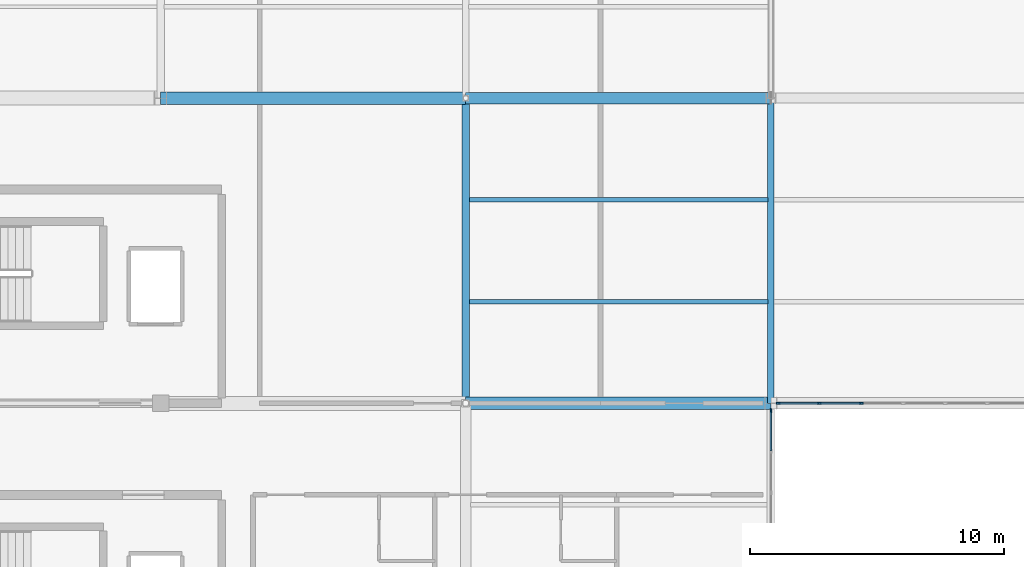
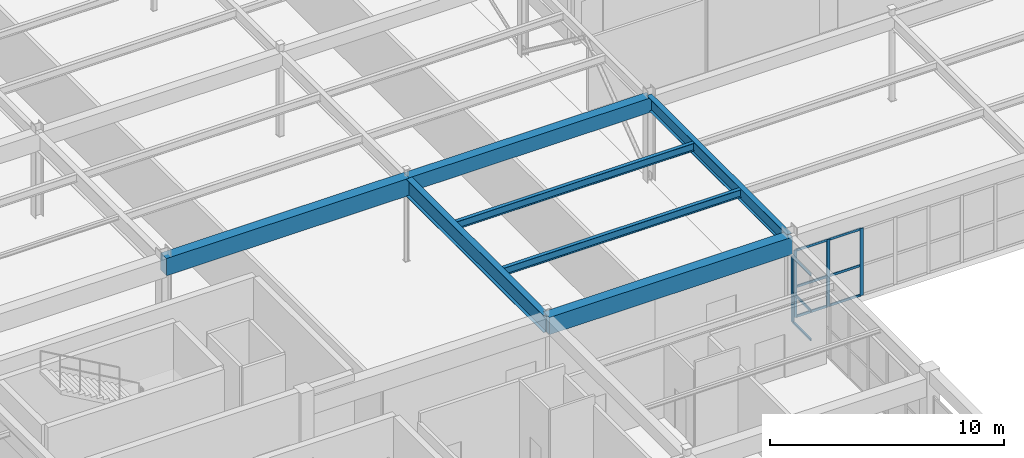
# One storey, part 89 of 226: 13 members, 7 beams, 2 elements without a shape of their own.
"""IFC4 building model written with IfcOpenShell, lengths in metres."""

from ifc_helpers import new_model, si_unit, direction, frame, origin, origin_2d, place, context, subcontext, project, spatial, rectangle, i_section, extrude, material, layer, layer_set, material_profile, profile_set, type_object, element, aggregate, save


model = new_model("IFC4")

# Units and contexts
model_context = context("Model", 3, precision=1e-05, world=origin(), true_north=direction((0.0, 1.0)))
body_context = subcontext(model_context, "Body", "Model", "MODEL_VIEW")
ifc_project = project(units=[si_unit("LENGTHUNIT", "METRE"), si_unit("AREAUNIT", "SQUARE_METRE"), si_unit("VOLUMEUNIT", "CUBIC_METRE"), si_unit("PLANEANGLEUNIT", "RADIAN"), si_unit("MASSUNIT", "GRAM", prefix="KILO")], contexts=[model_context])

# Site, building, storey
site_placement = place(None, origin())
site = spatial("IfcSite", under=ifc_project, at=site_placement, CompositionType="ELEMENT")
building_placement = place(site_placement, origin())
building = spatial("IfcBuilding", under=site, at=building_placement, Name="Tarnwether General Hospital", CompositionType="ELEMENT")
storey_placement = place(building_placement, frame((0.0, 0.0, 4.800048828125)))
storey = spatial("IfcBuildingStorey", under=building, at=storey_placement, Name="L01", CompositionType="ELEMENT", Elevation=4.800048828125)

# Beams
ifc_material_1 = material(Name="Steel Grade 350 (350 MPa)", Category="steel")
ifc_material_profile_1 = material_profile(ifc_material_1, i_section(OverallWidth=0.300048828125, OverallDepth=0.89990234375, WebThickness=0.011962890625, FlangeThickness=0.02001953125, at=origin_2d()), Name="900WB175")
ifc_profile_set_1 = profile_set([ifc_material_profile_1], Name="Steel Grade 350 (350 MPa)")
beam_type_1 = type_object("IfcBeamType", Name="BM-G01", PredefinedType="BEAM", material=ifc_profile_set_1)
beam_1_placement = place(storey_placement, frame((48.0, 81.60009765625, 3.97998046875), z_axis=(0.0, 1.0, 0.0), x_axis=(-1.0, 0.0, 0.0)))
element("IfcBeam", 1, at=beam_1_placement, inside=storey, type_object=beam_type_1, Name="Primary Girder BMG-L01-4800_8160-4800_9360-1110", PredefinedType="BEAM", context=body_context, shape_type="SweptSolid", body=[
    extrude(i_section(OverallWidth=0.300048828125, OverallDepth=0.89990234375, WebThickness=0.011962890625, FlangeThickness=0.02001953125, at=origin_2d()), origin(), (0.0, 0.0, 1.0), 12.0),
])
ifc_material_2 = material(Name="Steel Grade 350 (350 MPa)", Category="steel")
ifc_material_profile_2 = material_profile(ifc_material_2, i_section(OverallWidth=0.25, OverallDepth=0.69189453125, WebThickness=0.009033203125, FlangeThickness=0.01611328125, at=origin_2d()), Name="700WB115")
ifc_profile_set_2 = profile_set([ifc_material_profile_2], Name="Steel Grade 350 (350 MPa)")
beam_type_2 = type_object("IfcBeamType", Name="BM-G02", PredefinedType="BEAM", material=ifc_profile_set_2)
beam_2_placement = place(storey_placement, frame((60.0, 81.60009765625, 4.098876953125), z_axis=(0.0, 1.0, 0.0), x_axis=(-1.0, 0.0, 0.0)))
element("IfcBeam", 2, at=beam_2_placement, inside=storey, type_object=beam_type_2, Name="Primary Girder BMG-L01-6000_8160-6000_9360-1129", PredefinedType="BEAM", context=body_context, shape_type="SweptSolid", body=[
    extrude(i_section(OverallWidth=0.25, OverallDepth=0.69189453125, WebThickness=0.009033203125, FlangeThickness=0.01611328125, at=origin_2d()), origin(), (0.0, 0.0, 1.0), 12.0),
])
ifc_material_3 = material(Name="Concrete 40 MPa", Category="concrete")
ifc_material_profile_3 = material_profile(ifc_material_3, rectangle(XDim=0.5, YDim=0.89990234375, at=origin_2d()), Name="RC-BM-500x900")
ifc_profile_set_3 = profile_set([ifc_material_profile_3], Name="Concrete 40 MPa")
beam_type_3 = type_object("IfcBeamType", Name="BM-G12", PredefinedType="BEAM", material=ifc_profile_set_3)
for number, where, z_axis, x_axis, name in (
    (3, (36.0, 93.60009765625, 3.97998046875), (1.0, 0.0, 0.0), (0.0, 1.0, 0.0), "Primary Girder BMG-L01-3600_9360-4800_9360-1096"),
    (4, (48.0, 81.60009765625, 3.97998046875), (1.0, 0.0, 0.0), (0.0, 1.0, 0.0), "Primary Girder BMG-L01-4800_8160-6000_8160-1109"),
):
    element("IfcBeam", number, at=place(storey_placement, frame(where, z_axis=z_axis, x_axis=x_axis)), inside=storey, type_object=beam_type_3, Name=name, PredefinedType="BEAM", context=body_context, shape_type="SweptSolid", body=[
        extrude(rectangle(XDim=0.5, YDim=0.89990234375, at=origin_2d()), origin(), (0.0, 0.0, 1.0), 12.0),
    ])
ifc_material_4 = material(Name="Concrete 40 MPa", Category="concrete")
ifc_material_profile_4 = material_profile(ifc_material_4, rectangle(XDim=0.449951171875, YDim=0.75, at=origin_2d()), Name="RC-BM-450x750")
ifc_profile_set_4 = profile_set([ifc_material_profile_4], Name="Concrete 40 MPa")
beam_type_4 = type_object("IfcBeamType", Name="BM-G13", PredefinedType="BEAM", material=ifc_profile_set_4)
beam_3_placement = place(storey_placement, frame((48.0, 93.60009765625, 4.054931640625), z_axis=(1.0, 0.0, 0.0), x_axis=(0.0, 1.0, 0.0)))
element("IfcBeam", 5, at=beam_3_placement, inside=storey, type_object=beam_type_4, Name="Primary Girder BMG-L01-4800_9360-6000_9360-1111", PredefinedType="BEAM", context=body_context, shape_type="SweptSolid", body=[
    extrude(rectangle(XDim=0.449951171875, YDim=0.75, at=origin_2d()), origin(), (0.0, 0.0, 1.0), 12.0),
])
ifc_material_5 = material(Name="Steel Grade 350 (350 MPa)", Category="steel")
ifc_material_profile_5 = material_profile(ifc_material_5, i_section(OverallWidth=0.177978515625, OverallDepth=0.406005859375, WebThickness=0.0078125, FlangeThickness=0.0126953125, at=origin_2d()), Name="410UB59.7")
ifc_profile_set_5 = profile_set([ifc_material_profile_5], Name="Steel Grade 350 (350 MPa)")
beam_type_5 = type_object("IfcBeamType", Name="BM-J01", PredefinedType="JOIST", material=ifc_profile_set_5)
beam_4_placement = place(storey_placement, frame((48.14404296875, 85.60009765625, 4.22705078125), z_axis=(1.0, 0.0, 0.0), x_axis=(0.0, 1.0, 0.0)))
element("IfcBeam", 6, at=beam_4_placement, inside=storey, type_object=beam_type_5, Name="Composite Floor Joist BMG-L01-4814_8560-5988_8560-1345", PredefinedType="JOIST", context=body_context, shape_type="SweptSolid", body=[
    extrude(i_section(OverallWidth=0.177978515625, OverallDepth=0.406005859375, WebThickness=0.0078125, FlangeThickness=0.0126953125, at=origin_2d()), origin(), (0.0, 0.0, 1.0), 11.737060546875),
])
ifc_material_6 = material(Name="Steel Grade 350 (350 MPa)", Category="steel")
ifc_material_profile_6 = material_profile(ifc_material_6, i_section(OverallWidth=0.177978515625, OverallDepth=0.403076171875, WebThickness=0.007568359375, FlangeThickness=0.010986328125, at=origin_2d()), Name="410UB53.7")
ifc_profile_set_6 = profile_set([ifc_material_profile_6], Name="Steel Grade 350 (350 MPa)")
beam_type_6 = type_object("IfcBeamType", Name="BM-J02", PredefinedType="JOIST", material=ifc_profile_set_6)
beam_5_placement = place(storey_placement, frame((48.14404296875, 89.60009765625, 4.228515625), z_axis=(1.0, 0.0, 0.0), x_axis=(0.0, 1.0, 0.0)))
element("IfcBeam", 7, at=beam_5_placement, inside=storey, type_object=beam_type_6, Name="Composite Floor Joist BMG-L01-4814_8960-5988_8960-1346", PredefinedType="JOIST", context=body_context, shape_type="SweptSolid", body=[
    extrude(i_section(OverallWidth=0.177978515625, OverallDepth=0.403076171875, WebThickness=0.007568359375, FlangeThickness=0.010986328125, at=origin_2d()), origin(), (0.0, 0.0, 1.0), 11.737060546875),
])

# Curtain wall, members
ifc_material_7 = material(Name="Anodised aluminium", Category="aluminium")
ifc_layer_1 = layer(ifc_material_7, 0.159912109375)
ifc_layer_set_1 = layer_set([ifc_layer_1], Name="Anodised aluminium")
curtain_wall_type_1 = type_object("IfcCurtainWallType", Name="CW-23", PredefinedType="NOTDEFINED", material=ifc_layer_set_1)
curtain_wall_1_placement = place(storey_placement, origin())
curtain_wall_1 = element("IfcCurtainWall", 8, at=curtain_wall_1_placement, inside=storey, type_object=curtain_wall_type_1, Name="Curtain Wall CWG-L01-603_816-0339", PredefinedType="NOTDEFINED")
ifc_material_8 = material(Name="Anodised aluminium", Category="aluminium")
ifc_material_profile_7 = material_profile(ifc_material_8, rectangle(XDim=0.06005859375, YDim=0.159912109375, at=origin_2d()), Name="ALU-MUL-60x160")
ifc_profile_set_7 = profile_set([ifc_material_profile_7], Name="Anodised aluminium")
member_type_1 = type_object("IfcMemberType", Name="CW-ML1", PredefinedType="MULLION", material=ifc_profile_set_7)
member_1_placement = place(storey_placement, frame((60.2880859375, 81.60009765625, 0.0), z_axis=(0.0, 0.0, 1.0), x_axis=(0.0, 1.0, 0.0)))
member_1 = element("IfcMember", 9, at=member_1_placement, type_object=member_type_1, Name="CW-23 mullion 1", PredefinedType="MULLION", context=body_context, shape_type="SweptSolid", body=[
    extrude(rectangle(XDim=0.06005859375, YDim=0.159912109375, at=origin_2d()), origin(), (0.0, 0.0, 1.0), 3.514892578125),
])
member_2_placement = place(storey_placement, frame((61.908935546875, 81.60009765625, 0.0), z_axis=(0.0, 0.0, 1.0), x_axis=(0.0, 1.0, 0.0)))
member_2 = element("IfcMember", 10, at=member_2_placement, type_object=member_type_1, Name="CW-23 mullion 2", PredefinedType="MULLION", context=body_context, shape_type="SweptSolid", body=[
    extrude(rectangle(XDim=0.06005859375, YDim=0.159912109375, at=origin_2d()), origin(), (0.0, 0.0, 1.0), 3.514892578125),
])
member_3_placement = place(storey_placement, frame((63.559814453125, 81.60009765625, 0.0), z_axis=(0.0, 0.0, 1.0), x_axis=(0.0, 1.0, 0.0)))
member_3 = element("IfcMember", 11, at=member_3_placement, type_object=member_type_1, Name="CW-23 mullion 3", PredefinedType="MULLION", context=body_context, shape_type="SweptSolid", body=[
    extrude(rectangle(XDim=0.06005859375, YDim=0.159912109375, at=origin_2d()), origin(), (0.0, 0.0, 1.0), 3.514892578125),
])

# Curtain wall, member
ifc_material_9 = material(Name="Anodised aluminium", Category="aluminium")
ifc_layer_2 = layer(ifc_material_9, 0.159912109375)
ifc_layer_set_2 = layer_set([ifc_layer_2], Name="Anodised aluminium")
curtain_wall_type_2 = type_object("IfcCurtainWallType", Name="CW-15", PredefinedType="NOTDEFINED", material=ifc_layer_set_2)
curtain_wall_2_placement = place(storey_placement, origin())
curtain_wall_2 = element("IfcCurtainWall", 12, at=curtain_wall_2_placement, inside=storey, type_object=curtain_wall_type_2, Name="Curtain Wall CWG-L01-600_813-0352", PredefinedType="NOTDEFINED")
member_4_placement = place(storey_placement, frame((60.0, 81.31201171875, 0.0), z_axis=(0.0, 0.0, 1.0), x_axis=(1.0, 0.0, 0.0)))
member_4 = element("IfcMember", 13, at=member_4_placement, type_object=member_type_1, Name="CW-15 mullion 1", PredefinedType="MULLION", context=body_context, shape_type="SweptSolid", body=[
    extrude(rectangle(XDim=0.06005859375, YDim=0.159912109375, at=origin_2d()), origin(), (0.0, 0.0, 1.0), 3.46484375),
])

# Member
ifc_material_10 = material(Name="Anodised aluminium", Category="aluminium")
ifc_material_profile_8 = material_profile(ifc_material_10, rectangle(XDim=0.06005859375, YDim=0.1201171875, at=origin_2d()), Name="ALU-TRN-60x120")
ifc_profile_set_8 = profile_set([ifc_material_profile_8], Name="Anodised aluminium")
member_type_2 = type_object("IfcMemberType", Name="CW-TR1", PredefinedType="USERDEFINED", material=ifc_profile_set_8)
member_5_placement = place(storey_placement, frame((60.318115234375, 81.60009765625, 0.030029296875), z_axis=(1.0, 0.0, 0.0), x_axis=(0.0, 1.0, 0.0)))
member_5 = element("IfcMember", 14, at=member_5_placement, type_object=member_type_2, Name="CW-23 transom 1.1", ObjectType="TRANSOM", PredefinedType="USERDEFINED", context=body_context, shape_type="SweptSolid", body=[
    extrude(rectangle(XDim=0.06005859375, YDim=0.1201171875, at=origin_2d()), origin(), (0.0, 0.0, 1.0), 1.560791015625),
])

member_6_placement = place(storey_placement, frame((60.318115234375, 81.60009765625, 1.581787109375), z_axis=(1.0, 0.0, 0.0), x_axis=(0.0, 1.0, 0.0)))
member_6 = element("IfcMember", 15, at=member_6_placement, type_object=member_type_2, Name="CW-23 transom 1.2", ObjectType="TRANSOM", PredefinedType="USERDEFINED", context=body_context, shape_type="SweptSolid", body=[
    extrude(rectangle(XDim=0.06005859375, YDim=0.1201171875, at=origin_2d()), origin(), (0.0, 0.0, 1.0), 1.560791015625),
])

member_7_placement = place(storey_placement, frame((60.318115234375, 81.60009765625, 3.48486328125), z_axis=(1.0, 0.0, 0.0), x_axis=(0.0, 1.0, 0.0)))
member_7 = element("IfcMember", 16, at=member_7_placement, type_object=member_type_2, Name="CW-23 transom 1.3", ObjectType="TRANSOM", PredefinedType="USERDEFINED", context=body_context, shape_type="SweptSolid", body=[
    extrude(rectangle(XDim=0.06005859375, YDim=0.1201171875, at=origin_2d()), origin(), (0.0, 0.0, 1.0), 1.560791015625),
])

member_8_placement = place(storey_placement, frame((61.93896484375, 81.60009765625, 0.030029296875), z_axis=(1.0, 0.0, 0.0), x_axis=(0.0, 1.0, 0.0)))
member_8 = element("IfcMember", 17, at=member_8_placement, type_object=member_type_2, Name="CW-23 transom 2.1", ObjectType="TRANSOM", PredefinedType="USERDEFINED", context=body_context, shape_type="SweptSolid", body=[
    extrude(rectangle(XDim=0.06005859375, YDim=0.1201171875, at=origin_2d()), origin(), (0.0, 0.0, 1.0), 1.5908203125),
])

member_9_placement = place(storey_placement, frame((61.93896484375, 81.60009765625, 1.581787109375), z_axis=(1.0, 0.0, 0.0), x_axis=(0.0, 1.0, 0.0)))
member_9 = element("IfcMember", 18, at=member_9_placement, type_object=member_type_2, Name="CW-23 transom 2.2", ObjectType="TRANSOM", PredefinedType="USERDEFINED", context=body_context, shape_type="SweptSolid", body=[
    extrude(rectangle(XDim=0.06005859375, YDim=0.1201171875, at=origin_2d()), origin(), (0.0, 0.0, 1.0), 1.5908203125),
])

member_10_placement = place(storey_placement, frame((61.93896484375, 81.60009765625, 3.48486328125), z_axis=(1.0, 0.0, 0.0), x_axis=(0.0, 1.0, 0.0)))
member_10 = element("IfcMember", 19, at=member_10_placement, type_object=member_type_2, Name="CW-23 transom 2.3", ObjectType="TRANSOM", PredefinedType="USERDEFINED", context=body_context, shape_type="SweptSolid", body=[
    extrude(rectangle(XDim=0.06005859375, YDim=0.1201171875, at=origin_2d()), origin(), (0.0, 0.0, 1.0), 1.5908203125),
])

aggregate(curtain_wall_1, [member_1, member_2, member_3, member_5, member_6, member_7, member_8, member_9, member_10])

member_11_placement = place(storey_placement, frame((60.0, 81.281982421875, 0.030029296875), z_axis=(0.0, -1.0, 0.0), x_axis=(1.0, 0.0, 0.0)))
member_11 = element("IfcMember", 20, at=member_11_placement, type_object=member_type_2, Name="CW-15 transom 1.1", ObjectType="TRANSOM", PredefinedType="USERDEFINED", context=body_context, shape_type="SweptSolid", body=[
    extrude(rectangle(XDim=0.06005859375, YDim=0.1201171875, at=origin_2d()), origin(), (0.0, 0.0, 1.0), 1.539794921875),
])

member_12_placement = place(storey_placement, frame((60.0, 81.281982421875, 1.559326171875), z_axis=(0.0, -1.0, 0.0), x_axis=(1.0, 0.0, 0.0)))
member_12 = element("IfcMember", 21, at=member_12_placement, type_object=member_type_2, Name="CW-15 transom 1.2", ObjectType="TRANSOM", PredefinedType="USERDEFINED", context=body_context, shape_type="SweptSolid", body=[
    extrude(rectangle(XDim=0.06005859375, YDim=0.1201171875, at=origin_2d()), origin(), (0.0, 0.0, 1.0), 1.539794921875),
])

member_13_placement = place(storey_placement, frame((60.0, 81.281982421875, 3.43505859375), z_axis=(0.0, -1.0, 0.0), x_axis=(1.0, 0.0, 0.0)))
member_13 = element("IfcMember", 22, at=member_13_placement, type_object=member_type_2, Name="CW-15 transom 1.3", ObjectType="TRANSOM", PredefinedType="USERDEFINED", context=body_context, shape_type="SweptSolid", body=[
    extrude(rectangle(XDim=0.06005859375, YDim=0.1201171875, at=origin_2d()), origin(), (0.0, 0.0, 1.0), 1.539794921875),
])

aggregate(curtain_wall_2, [member_4, member_11, member_12, member_13])

save(model, "model.ifc")
